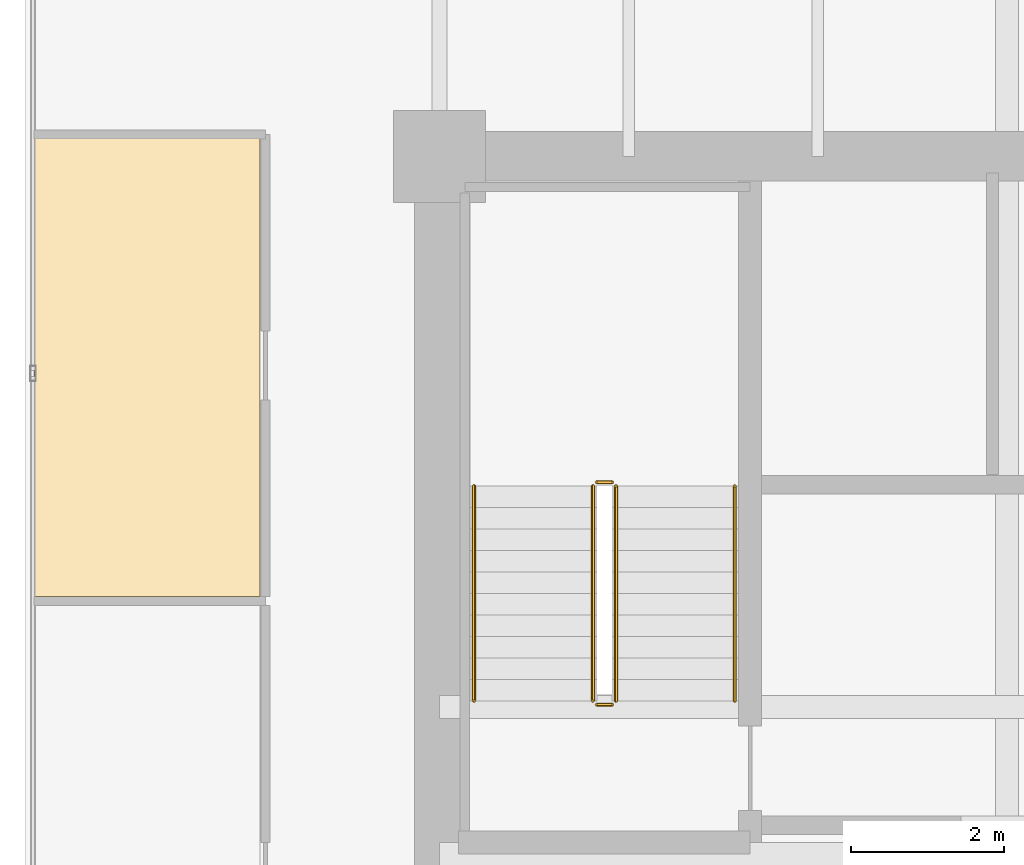
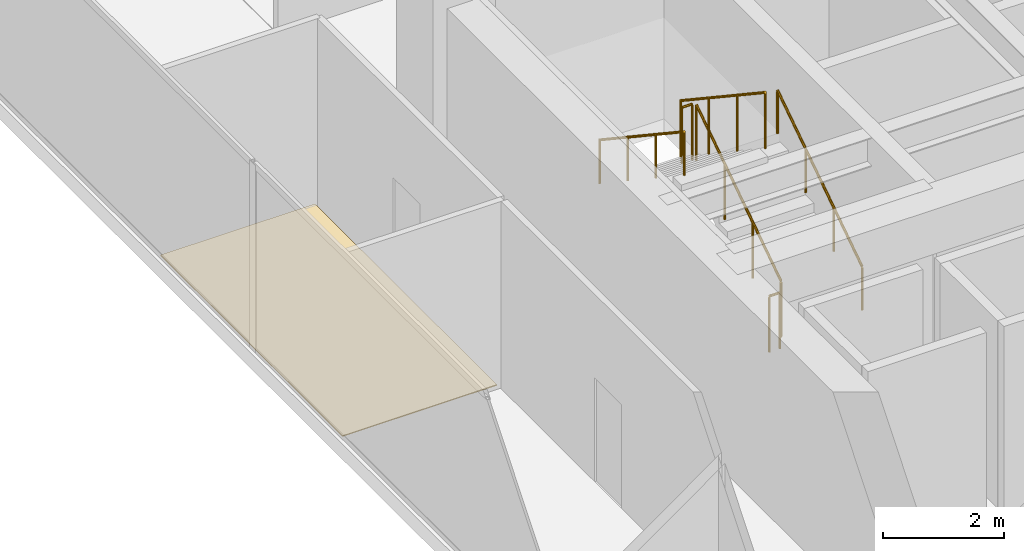
# One storey, part 31 of 34: 6 railings, 1 covering.
"""IFC4 building model written with IfcOpenShell, lengths in metres."""

from ifc_helpers import new_model, si_unit, direction, frame, origin, origin_2d, place, context, subcontext, project, spatial, polyline, circle, outline, extrude, source, transform, mapped, material, layer, layer_set, type_object, type_shapes, element, save


model = new_model("IFC4")

# Units and contexts
model_context = context("Model", 3, precision=1e-05, world=origin(), true_north=direction((0.0, 1.0)))
body_context = subcontext(model_context, "Body", "Model", "MODEL_VIEW")
ifc_project = project(units=[si_unit("LENGTHUNIT", "METRE"), si_unit("AREAUNIT", "SQUARE_METRE"), si_unit("VOLUMEUNIT", "CUBIC_METRE"), si_unit("PLANEANGLEUNIT", "RADIAN"), si_unit("MASSUNIT", "GRAM", prefix="KILO")], contexts=[model_context])

# Site, building, storey
site_placement = place(None, origin())
site = spatial("IfcSite", under=ifc_project, at=site_placement, CompositionType="ELEMENT")
building_placement = place(site_placement, origin())
building = spatial("IfcBuilding", under=site, at=building_placement, Name="Haelvirn Gate Laboratories", CompositionType="ELEMENT")
storey_placement = place(building_placement, frame((0.0, 0.0, 109.199951171875)))
storey = spatial("IfcBuildingStorey", under=building, at=storey_placement, Name="L26", CompositionType="ELEMENT", Elevation=109.199951171875)

# Covering
ifc_material_1 = material(Name="Seamless chemical-resistant epoxy laboratory flooring")
ifc_layer = layer(ifc_material_1, 0.01806640625, Name="COV-FLR-RESIN")
ifc_layer_set = layer_set([ifc_layer], Name="Seamless chemical-resistant epoxy laboratory flooring")
covering_type = type_object("IfcCoveringType", Name="COV-FLR-RESIN", PredefinedType="FLOORING", material=ifc_layer_set)
covering_placement = place(storey_placement, origin())
element("IfcCovering", 1, at=covering_placement, inside=storey, type_object=covering_type, Name="L26 Seamless Laboratory Flooring FLR-SP-L26-WCELL-03", PredefinedType="FLOORING", context=body_context, shape_type="SweptSolid", body=[
    extrude(outline(polyline([(2.110107421875, 34.0849609375), (5.06005859375, 34.0849609375), (5.06005859375, 28.06005859375), (2.110107421875, 28.06005859375), (2.110107421875, 34.0849609375)])), origin(), (0.0, 0.0, 1.0), 0.01806640625),
])

# Railings
ifc_material_2 = material(Name="Galvanised steel SM355 & stainless top rail", Category="steel")
railing_type_1 = type_object("IfcRailingType", Name="RL-GUARD-1150", PredefinedType="GUARDRAIL", material=ifc_material_2)
shared_shape_1 = source(origin(), body_context, "Body", "SweptSolid", [
    extrude(circle(Radius=0.02392578125, at=origin_2d()), frame((0.0, 0.0, 1.1259765625), z_axis=(-1.0, 0.0, 0.0), x_axis=(0.0, -1.0, 0.0)), (0.0, 0.0, 1.0), 0.199951171875),
    extrude(circle(Radius=0.02099609375, at=origin_2d()), origin(), (0.0, 0.0, 1.0), 1.101806640625),
    extrude(circle(Radius=0.02099609375, at=origin_2d()), frame((-0.199951171875, 0.0, 0.0)), (0.0, 0.0, 1.0), 1.101806640625),
])
for number, where, name in (
    (2, (9.64990234375, 29.550048828125, 2.050048828125), "L26 ST1 stair guard 2"),
    (3, (9.64990234375, 26.64990234375, 0.0), "L26 ST1 stair guard 4"),
):
    element("IfcRailing", number, at=place(storey_placement, frame(where)), inside=storey, type_object=railing_type_1, Name=name, PredefinedType="GUARDRAIL", context=body_context, shape_type="MappedRepresentation", body=[
        mapped(shared_shape_1, transform((0.0, 0.0, 0.0), scale=1.0)),
    ])
shared_shape_2 = source(origin(), body_context, "Body", "SweptSolid", [
    extrude(circle(Radius=0.02392578125, at=origin_2d()), frame((0.0, 0.0, 1.1259765625), z_axis=(0.0, 0.832485552168, 0.554046753832), x_axis=(-1.0, 0.0, 0.0)), (0.0, 0.0, 1.0), 3.363525390625),
    extrude(circle(Radius=0.02099609375, at=origin_2d()), origin(), (0.0, 0.0, 1.0), 1.101806640625),
    extrude(circle(Radius=0.02099609375, at=origin_2d()), frame((0.0, 0.933349609375, 0.62109375)), (0.0, 0.0, 1.0), 1.101806640625),
    extrude(circle(Radius=0.02099609375, at=origin_2d()), frame((0.0, 1.86669921875, 1.242431640625)), (0.0, 0.0, 1.0), 1.101806640625),
    extrude(circle(Radius=0.02099609375, at=origin_2d()), frame((0.0, 2.800048828125, 1.863525390625)), (0.0, 0.0, 1.0), 1.101806640625),
])
railing_1_placement = place(storey_placement, frame((9.699951171875, 26.699951171875, 0.1865234375)))
element("IfcRailing", 4, at=railing_1_placement, inside=storey, type_object=railing_type_1, Name="L26 ST1 stair guard 1", PredefinedType="GUARDRAIL", context=body_context, shape_type="MappedRepresentation", body=[
    mapped(shared_shape_2, transform((0.0, 0.0, 0.0), scale=1.0)),
])
shared_shape_3 = source(origin(), body_context, "Body", "SweptSolid", [
    extrude(circle(Radius=0.02392578125, at=origin_2d()), frame((0.0, 0.0, 1.1259765625), z_axis=(0.0, -0.832452072856, 0.554097055034), x_axis=(1.0, 0.0, 0.0)), (0.0, 0.0, 1.0), 3.363525390625),
    extrude(circle(Radius=0.02099609375, at=origin_2d()), origin(), (0.0, 0.0, 1.0), 1.101806640625),
    extrude(circle(Radius=0.02099609375, at=origin_2d()), frame((0.0, -0.933349609375, 0.621337890625)), (0.0, 0.0, 1.0), 1.101806640625),
    extrude(circle(Radius=0.02099609375, at=origin_2d()), frame((0.0, -1.86669921875, 1.242431640625)), (0.0, 0.0, 1.0), 1.101806640625),
    extrude(circle(Radius=0.02099609375, at=origin_2d()), frame((0.0, -2.800048828125, 1.86376953125)), (0.0, 0.0, 1.0), 1.101806640625),
])
type_shapes(railing_type_1, [shared_shape_1, shared_shape_2, shared_shape_3])
railing_2_placement = place(storey_placement, frame((9.39990234375, 29.5, 2.236328125)))
element("IfcRailing", 5, at=railing_2_placement, inside=storey, type_object=railing_type_1, Name="L26 ST1 stair guard 3", PredefinedType="GUARDRAIL", context=body_context, shape_type="MappedRepresentation", body=[
    mapped(shared_shape_3, transform((0.0, 0.0, 0.0), scale=1.0)),
])
ifc_material_3 = material(Name="Brushed stainless steel 316L", Category="steel")
railing_type_2 = type_object("IfcRailingType", Name="RL-HAND-920", PredefinedType="HANDRAIL", material=ifc_material_3)
shared_shape_4 = source(origin(), body_context, "Body", "SweptSolid", [
    extrude(circle(Radius=0.02392578125, at=origin_2d()), frame((0.0, 0.0, 0.8759765625), z_axis=(0.0, 0.832485552168, 0.554046753832), x_axis=(-1.0, 0.0, 0.0)), (0.0, 0.0, 1.0), 3.363525390625),
    extrude(circle(Radius=0.02099609375, at=origin_2d()), origin(), (0.0, 0.0, 1.0), 0.851806640625),
    extrude(circle(Radius=0.02099609375, at=origin_2d()), frame((0.0, 0.933349609375, 0.62109375)), (0.0, 0.0, 1.0), 0.851806640625),
    extrude(circle(Radius=0.02099609375, at=origin_2d()), frame((0.0, 1.86669921875, 1.242431640625)), (0.0, 0.0, 1.0), 0.851806640625),
    extrude(circle(Radius=0.02099609375, at=origin_2d()), frame((0.0, 2.800048828125, 1.863525390625)), (0.0, 0.0, 1.0), 0.851806640625),
])
railing_3_placement = place(storey_placement, frame((11.25, 26.699951171875, 0.1865234375)))
element("IfcRailing", 6, at=railing_3_placement, inside=storey, type_object=railing_type_2, Name="L26 ST1 stair handrail 1", PredefinedType="HANDRAIL", context=body_context, shape_type="MappedRepresentation", body=[
    mapped(shared_shape_4, transform((0.0, 0.0, 0.0), scale=1.0)),
])
shared_shape_5 = source(origin(), body_context, "Body", "SweptSolid", [
    extrude(circle(Radius=0.02392578125, at=origin_2d()), frame((0.0, 0.0, 0.8759765625), z_axis=(0.0, -0.832452072856, 0.554097055034), x_axis=(1.0, 0.0, 0.0)), (0.0, 0.0, 1.0), 3.363525390625),
    extrude(circle(Radius=0.02099609375, at=origin_2d()), origin(), (0.0, 0.0, 1.0), 0.851806640625),
    extrude(circle(Radius=0.02099609375, at=origin_2d()), frame((0.0, -0.933349609375, 0.621337890625)), (0.0, 0.0, 1.0), 0.851806640625),
    extrude(circle(Radius=0.02099609375, at=origin_2d()), frame((0.0, -1.86669921875, 1.242431640625)), (0.0, 0.0, 1.0), 0.851806640625),
    extrude(circle(Radius=0.02099609375, at=origin_2d()), frame((0.0, -2.800048828125, 1.86376953125)), (0.0, 0.0, 1.0), 0.851806640625),
])
type_shapes(railing_type_2, [shared_shape_4, shared_shape_5])
railing_4_placement = place(storey_placement, frame((7.85009765625, 29.5, 2.236328125)))
element("IfcRailing", 7, at=railing_4_placement, inside=storey, type_object=railing_type_2, Name="L26 ST1 stair handrail 2", PredefinedType="HANDRAIL", context=body_context, shape_type="MappedRepresentation", body=[
    mapped(shared_shape_5, transform((0.0, 0.0, 0.0), scale=1.0)),
])

save(model, "model.ifc")
